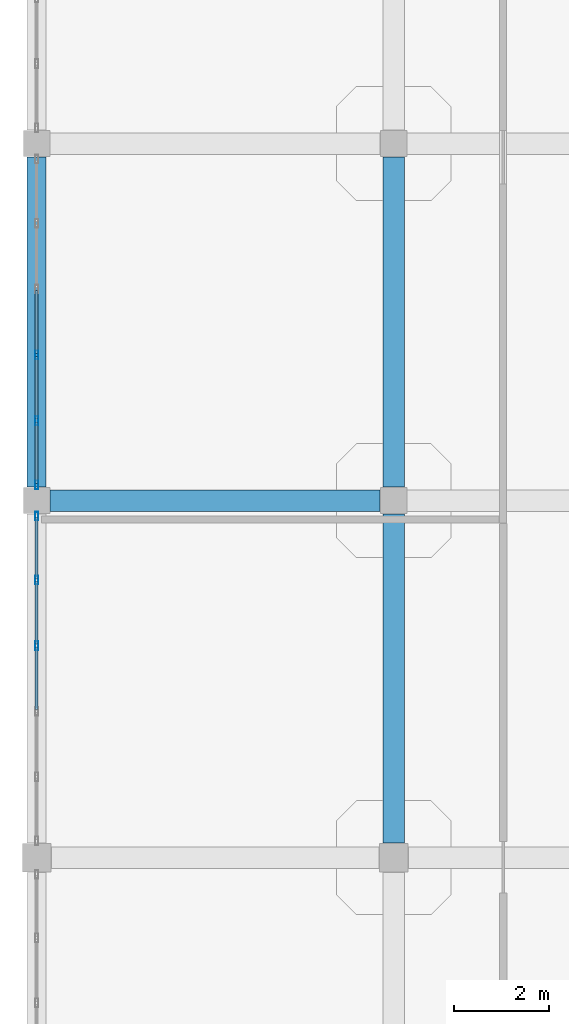
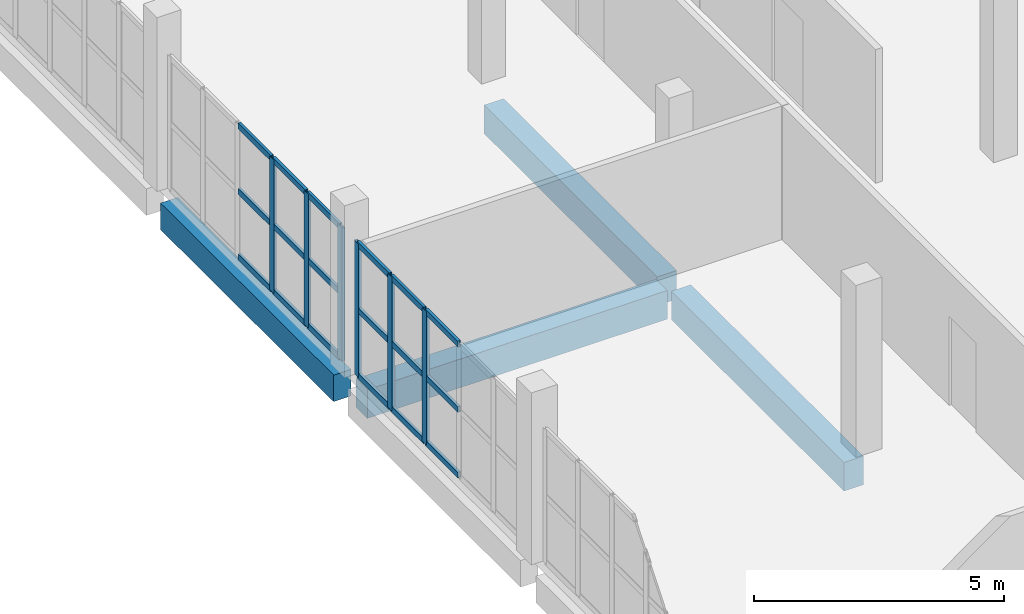
# One storey, part 39 of 164: 24 members, 4 beams, 2 elements without a shape of their own.
"""IFC4 building model written with IfcOpenShell, lengths in metres."""

from ifc_helpers import new_model, si_unit, direction, frame, origin, origin_2d, place, context, subcontext, project, spatial, rectangle, hollow_rectangle, extrude, material, layer, layer_set, material_profile, profile_set, type_object, element, aggregate, save


model = new_model("IFC4")

# Units and contexts
model_context = context("Model", 3, precision=1e-05, world=origin(), true_north=direction((0.0, 1.0)))
body_context = subcontext(model_context, "Body", "Model", "MODEL_VIEW")
ifc_project = project(units=[si_unit("LENGTHUNIT", "METRE"), si_unit("AREAUNIT", "SQUARE_METRE"), si_unit("VOLUMEUNIT", "CUBIC_METRE"), si_unit("PLANEANGLEUNIT", "RADIAN"), si_unit("MASSUNIT", "GRAM", prefix="KILO")], contexts=[model_context])

# Site, building, storey
site_placement = place(None, origin())
site = spatial("IfcSite", under=ifc_project, at=site_placement, CompositionType="ELEMENT")
building_placement = place(site_placement, origin())
building = spatial("IfcBuilding", under=site, at=building_placement, Name="Mawjan Specialist Oncology Clinic", CompositionType="ELEMENT")
storey_placement = place(building_placement, frame((0.0, 0.0, 5.0)))
storey = spatial("IfcBuildingStorey", under=building, at=storey_placement, Name="L01", CompositionType="ELEMENT", Elevation=5.0)

# Beams
ifc_material_1 = material(Name="Concrete C40/50", Category="concrete")
ifc_material_profile_1 = material_profile(ifc_material_1, rectangle(XDim=0.449951171875, YDim=0.699951171875, at=origin_2d()), Name="RC BM 450x700", Category="concrete")
ifc_profile_set_1 = profile_set([ifc_material_profile_1], Name="Concrete C40/50")
beam_type_1 = type_object("IfcBeamType", Name="BM-450x700", PredefinedType="BEAM", material=ifc_profile_set_1)
beam_1_placement = place(storey_placement, frame((0.284912109375, 60.800048828125, -0.8701171875), z_axis=(1.0, 0.0, 0.0), x_axis=(0.0, 1.0, 0.0)))
element("IfcBeam", 1, at=beam_1_placement, inside=storey, type_object=beam_type_1, Name="L01 Collector Beam BM-L01-0291", PredefinedType="BEAM", context=body_context, shape_type="SweptSolid", body=[
    extrude(rectangle(XDim=0.449951171875, YDim=0.699951171875, at=origin_2d()), origin(), (0.0, 0.0, 1.0), 6.93017578125),
])
beam_2_placement = place(storey_placement, frame((7.5, 53.610107421875, -0.8701171875), z_axis=(0.0, 1.0, 0.0), x_axis=(-1.0, 0.0, 0.0)))
element("IfcBeam", 2, at=beam_2_placement, inside=storey, type_object=beam_type_1, Name="L01 Collector Beam BM-L01-0434", PredefinedType="BEAM", context=body_context, shape_type="SweptSolid", body=[
    extrude(rectangle(XDim=0.449951171875, YDim=0.699951171875, at=origin_2d()), origin(), (0.0, 0.0, 1.0), 6.90478515625),
])
beam_3_placement = place(storey_placement, frame((7.5, 61.0849609375, -0.8701171875), z_axis=(0.0, 1.0, 0.0), x_axis=(-1.0, 0.0, 0.0)))
element("IfcBeam", 3, at=beam_3_placement, inside=storey, type_object=beam_type_1, Name="L01 Collector Beam BM-L01-0435", PredefinedType="BEAM", context=body_context, shape_type="SweptSolid", body=[
    extrude(rectangle(XDim=0.449951171875, YDim=0.699951171875, at=origin_2d()), origin(), (0.0, 0.0, 1.0), 6.929931640625),
])

# Curtain wall, members
ifc_material_2 = material(Name="Unitised spectrally selective aluminium curtain wall", Category="aluminium")
ifc_layer_1 = layer(ifc_material_2, 0.179931640625, Name="Unitised spectrally selective aluminium curtain wall", Category="aluminium")
ifc_layer_set_1 = layer_set([ifc_layer_1], Name="Unitised spectrally selective aluminium curtain wall")
curtain_wall_type_1 = type_object("IfcCurtainWallType", Name="CW-76", PredefinedType="NOTDEFINED", material=ifc_layer_set_1)
curtain_wall_1_placement = place(storey_placement, origin())
curtain_wall_1 = element("IfcCurtainWall", 4, at=curtain_wall_1_placement, inside=storey, type_object=curtain_wall_type_1, Name="L01 Unitised Curtain Wall CW-L01-149", PredefinedType="NOTDEFINED")
ifc_material_3 = material(Name="Thermally broken aluminium 6063-T6", Category="aluminium")
ifc_material_profile_2 = material_profile(ifc_material_3, hollow_rectangle(XDim=0.06494140625, YDim=0.179931640625, WallThickness=0.00390625, at=origin_2d()), Name="ALU MULLION 180x65x4", Category="aluminium")
ifc_profile_set_2 = profile_set([ifc_material_profile_2], Name="Thermally broken aluminium 6063-T6")
member_type_1 = type_object("IfcMemberType", Name="CW-M180", PredefinedType="MULLION", material=ifc_profile_set_2)
member_1_placement = place(storey_placement, frame((0.0, 57.7509765625, 0.0), z_axis=(0.0, 0.0, 1.0), x_axis=(-1.0, 0.0, 0.0)))
member_1 = element("IfcMember", 5, at=member_1_placement, type_object=member_type_1, Name="CW-76 mullion 4", PredefinedType="MULLION", context=body_context, shape_type="SweptSolid", body=[
    extrude(hollow_rectangle(XDim=0.06494140625, YDim=0.179931640625, WallThickness=0.00390625, at=origin_2d()), origin(), (0.0, 0.0, 1.0), 3.264892578125),
])
member_2_placement = place(storey_placement, frame((0.0, 59.1279296875, 0.0), z_axis=(0.0, 0.0, 1.0), x_axis=(-1.0, 0.0, 0.0)))
member_2 = element("IfcMember", 6, at=member_2_placement, type_object=member_type_1, Name="CW-76 mullion 5", PredefinedType="MULLION", context=body_context, shape_type="SweptSolid", body=[
    extrude(hollow_rectangle(XDim=0.06494140625, YDim=0.179931640625, WallThickness=0.00390625, at=origin_2d()), origin(), (0.0, 0.0, 1.0), 3.264892578125),
])
member_3_placement = place(storey_placement, frame((0.0, 60.472412109375, 0.0), z_axis=(0.0, 0.0, 1.0), x_axis=(-1.0, 0.0, 0.0)))
member_3 = element("IfcMember", 7, at=member_3_placement, type_object=member_type_1, Name="CW-76 mullion 6", PredefinedType="MULLION", context=body_context, shape_type="SweptSolid", body=[
    extrude(hollow_rectangle(XDim=0.06494140625, YDim=0.179931640625, WallThickness=0.00390625, at=origin_2d()), origin(), (0.0, 0.0, 1.0), 3.264892578125),
])

ifc_material_4 = material(Name="Unitised spectrally selective aluminium curtain wall", Category="aluminium")
ifc_layer_2 = layer(ifc_material_4, 0.179931640625, Name="Unitised spectrally selective aluminium curtain wall", Category="aluminium")
ifc_layer_set_2 = layer_set([ifc_layer_2], Name="Unitised spectrally selective aluminium curtain wall")
curtain_wall_type_2 = type_object("IfcCurtainWallType", Name="CW-77", PredefinedType="NOTDEFINED", material=ifc_layer_set_2)
curtain_wall_2_placement = place(storey_placement, origin())
curtain_wall_2 = element("IfcCurtainWall", 8, at=curtain_wall_2_placement, inside=storey, type_object=curtain_wall_type_2, Name="L01 Unitised Curtain Wall CW-L01-150", PredefinedType="NOTDEFINED")
member_4_placement = place(storey_placement, frame((0.0, 61.12744140625, 0.0), z_axis=(0.0, 0.0, 1.0), x_axis=(-1.0, 0.0, 0.0)))
member_4 = element("IfcMember", 9, at=member_4_placement, type_object=member_type_1, Name="CW-77 mullion 1", PredefinedType="MULLION", context=body_context, shape_type="SweptSolid", body=[
    extrude(hollow_rectangle(XDim=0.06494140625, YDim=0.179931640625, WallThickness=0.00390625, at=origin_2d()), origin(), (0.0, 0.0, 1.0), 3.264892578125),
])
member_5_placement = place(storey_placement, frame((0.0, 62.47705078125, 0.0), z_axis=(0.0, 0.0, 1.0), x_axis=(-1.0, 0.0, 0.0)))
member_5 = element("IfcMember", 10, at=member_5_placement, type_object=member_type_1, Name="CW-77 mullion 2", PredefinedType="MULLION", context=body_context, shape_type="SweptSolid", body=[
    extrude(hollow_rectangle(XDim=0.06494140625, YDim=0.179931640625, WallThickness=0.00390625, at=origin_2d()), origin(), (0.0, 0.0, 1.0), 3.264892578125),
])
member_6_placement = place(storey_placement, frame((0.0, 63.85888671875, 0.0), z_axis=(0.0, 0.0, 1.0), x_axis=(-1.0, 0.0, 0.0)))
member_6 = element("IfcMember", 11, at=member_6_placement, type_object=member_type_1, Name="CW-77 mullion 3", PredefinedType="MULLION", context=body_context, shape_type="SweptSolid", body=[
    extrude(hollow_rectangle(XDim=0.06494140625, YDim=0.179931640625, WallThickness=0.00390625, at=origin_2d()), origin(), (0.0, 0.0, 1.0), 3.264892578125),
])

# Member
ifc_material_5 = material(Name="Thermally broken aluminium 6063-T6", Category="aluminium")
ifc_material_profile_3 = material_profile(ifc_material_5, hollow_rectangle(XDim=0.06494140625, YDim=0.139892578125, WallThickness=0.00390625, at=origin_2d()), Name="ALU TRANSOM 140x65x4", Category="aluminium")
ifc_profile_set_3 = profile_set([ifc_material_profile_3], Name="Thermally broken aluminium 6063-T6")
member_type_2 = type_object("IfcMemberType", Name="CW-T140", PredefinedType="USERDEFINED", material=ifc_profile_set_3)
member_7_placement = place(storey_placement, frame((0.0, 56.406494140625, 0.032470703125), z_axis=(0.0, 1.0, 0.0), x_axis=(-1.0, 0.0, 0.0)))
member_7 = element("IfcMember", 12, at=member_7_placement, type_object=member_type_2, Name="CW-76 transom 3.1", ObjectType="TRANSOM", PredefinedType="USERDEFINED", context=body_context, shape_type="SweptSolid", body=[
    extrude(hollow_rectangle(XDim=0.06494140625, YDim=0.139892578125, WallThickness=0.00390625, at=origin_2d()), origin(), (0.0, 0.0, 1.0), 1.31201171875),
])

member_8_placement = place(storey_placement, frame((0.0, 56.406494140625, 1.632568359375), z_axis=(0.0, 1.0, 0.0), x_axis=(-1.0, 0.0, 0.0)))
member_8 = element("IfcMember", 13, at=member_8_placement, type_object=member_type_2, Name="CW-76 transom 3.2", ObjectType="TRANSOM", PredefinedType="USERDEFINED", context=body_context, shape_type="SweptSolid", body=[
    extrude(hollow_rectangle(XDim=0.06494140625, YDim=0.139892578125, WallThickness=0.00390625, at=origin_2d()), origin(), (0.0, 0.0, 1.0), 1.31201171875),
])

member_9_placement = place(storey_placement, frame((0.0, 56.406494140625, 3.232421875), z_axis=(0.0, 1.0, 0.0), x_axis=(-1.0, 0.0, 0.0)))
member_9 = element("IfcMember", 14, at=member_9_placement, type_object=member_type_2, Name="CW-76 transom 3.3", ObjectType="TRANSOM", PredefinedType="USERDEFINED", context=body_context, shape_type="SweptSolid", body=[
    extrude(hollow_rectangle(XDim=0.06494140625, YDim=0.139892578125, WallThickness=0.00390625, at=origin_2d()), origin(), (0.0, 0.0, 1.0), 1.31201171875),
])

member_10_placement = place(storey_placement, frame((0.0, 57.783447265625, 0.032470703125), z_axis=(0.0, 1.0, 0.0), x_axis=(-1.0, 0.0, 0.0)))
member_10 = element("IfcMember", 15, at=member_10_placement, type_object=member_type_2, Name="CW-76 transom 4.1", ObjectType="TRANSOM", PredefinedType="USERDEFINED", context=body_context, shape_type="SweptSolid", body=[
    extrude(hollow_rectangle(XDim=0.06494140625, YDim=0.139892578125, WallThickness=0.00390625, at=origin_2d()), origin(), (0.0, 0.0, 1.0), 1.31201171875),
])

member_11_placement = place(storey_placement, frame((0.0, 57.783447265625, 1.632568359375), z_axis=(0.0, 1.0, 0.0), x_axis=(-1.0, 0.0, 0.0)))
member_11 = element("IfcMember", 16, at=member_11_placement, type_object=member_type_2, Name="CW-76 transom 4.2", ObjectType="TRANSOM", PredefinedType="USERDEFINED", context=body_context, shape_type="SweptSolid", body=[
    extrude(hollow_rectangle(XDim=0.06494140625, YDim=0.139892578125, WallThickness=0.00390625, at=origin_2d()), origin(), (0.0, 0.0, 1.0), 1.31201171875),
])

member_12_placement = place(storey_placement, frame((0.0, 57.783447265625, 3.232421875), z_axis=(0.0, 1.0, 0.0), x_axis=(-1.0, 0.0, 0.0)))
member_12 = element("IfcMember", 17, at=member_12_placement, type_object=member_type_2, Name="CW-76 transom 4.3", ObjectType="TRANSOM", PredefinedType="USERDEFINED", context=body_context, shape_type="SweptSolid", body=[
    extrude(hollow_rectangle(XDim=0.06494140625, YDim=0.139892578125, WallThickness=0.00390625, at=origin_2d()), origin(), (0.0, 0.0, 1.0), 1.31201171875),
])

member_13_placement = place(storey_placement, frame((0.0, 59.160400390625, 0.032470703125), z_axis=(0.0, 1.0, 0.0), x_axis=(-1.0, 0.0, 0.0)))
member_13 = element("IfcMember", 18, at=member_13_placement, type_object=member_type_2, Name="CW-76 transom 5.1", ObjectType="TRANSOM", PredefinedType="USERDEFINED", context=body_context, shape_type="SweptSolid", body=[
    extrude(hollow_rectangle(XDim=0.06494140625, YDim=0.139892578125, WallThickness=0.00390625, at=origin_2d()), origin(), (0.0, 0.0, 1.0), 1.279541015625),
])

member_14_placement = place(storey_placement, frame((0.0, 59.160400390625, 1.632568359375), z_axis=(0.0, 1.0, 0.0), x_axis=(-1.0, 0.0, 0.0)))
member_14 = element("IfcMember", 19, at=member_14_placement, type_object=member_type_2, Name="CW-76 transom 5.2", ObjectType="TRANSOM", PredefinedType="USERDEFINED", context=body_context, shape_type="SweptSolid", body=[
    extrude(hollow_rectangle(XDim=0.06494140625, YDim=0.139892578125, WallThickness=0.00390625, at=origin_2d()), origin(), (0.0, 0.0, 1.0), 1.279541015625),
])

member_15_placement = place(storey_placement, frame((0.0, 59.160400390625, 3.232421875), z_axis=(0.0, 1.0, 0.0), x_axis=(-1.0, 0.0, 0.0)))
member_15 = element("IfcMember", 20, at=member_15_placement, type_object=member_type_2, Name="CW-76 transom 5.3", ObjectType="TRANSOM", PredefinedType="USERDEFINED", context=body_context, shape_type="SweptSolid", body=[
    extrude(hollow_rectangle(XDim=0.06494140625, YDim=0.139892578125, WallThickness=0.00390625, at=origin_2d()), origin(), (0.0, 0.0, 1.0), 1.279541015625),
])

aggregate(curtain_wall_1, [member_1, member_2, member_3, member_7, member_8, member_9, member_10, member_11, member_12, member_13, member_14, member_15])

member_16_placement = place(storey_placement, frame((0.0, 61.159912109375, 0.032470703125), z_axis=(0.0, 1.0, 0.0), x_axis=(-1.0, 0.0, 0.0)))
member_16 = element("IfcMember", 21, at=member_16_placement, type_object=member_type_2, Name="CW-77 transom 1.1", ObjectType="TRANSOM", PredefinedType="USERDEFINED", context=body_context, shape_type="SweptSolid", body=[
    extrude(hollow_rectangle(XDim=0.06494140625, YDim=0.139892578125, WallThickness=0.00390625, at=origin_2d()), origin(), (0.0, 0.0, 1.0), 1.28466796875),
])

member_17_placement = place(storey_placement, frame((0.0, 61.159912109375, 1.632568359375), z_axis=(0.0, 1.0, 0.0), x_axis=(-1.0, 0.0, 0.0)))
member_17 = element("IfcMember", 22, at=member_17_placement, type_object=member_type_2, Name="CW-77 transom 1.2", ObjectType="TRANSOM", PredefinedType="USERDEFINED", context=body_context, shape_type="SweptSolid", body=[
    extrude(hollow_rectangle(XDim=0.06494140625, YDim=0.139892578125, WallThickness=0.00390625, at=origin_2d()), origin(), (0.0, 0.0, 1.0), 1.28466796875),
])

member_18_placement = place(storey_placement, frame((0.0, 61.159912109375, 3.232421875), z_axis=(0.0, 1.0, 0.0), x_axis=(-1.0, 0.0, 0.0)))
member_18 = element("IfcMember", 23, at=member_18_placement, type_object=member_type_2, Name="CW-77 transom 1.3", ObjectType="TRANSOM", PredefinedType="USERDEFINED", context=body_context, shape_type="SweptSolid", body=[
    extrude(hollow_rectangle(XDim=0.06494140625, YDim=0.139892578125, WallThickness=0.00390625, at=origin_2d()), origin(), (0.0, 0.0, 1.0), 1.28466796875),
])

member_19_placement = place(storey_placement, frame((0.0, 62.509521484375, 0.032470703125), z_axis=(0.0, 1.0, 0.0), x_axis=(-1.0, 0.0, 0.0)))
member_19 = element("IfcMember", 24, at=member_19_placement, type_object=member_type_2, Name="CW-77 transom 2.1", ObjectType="TRANSOM", PredefinedType="USERDEFINED", context=body_context, shape_type="SweptSolid", body=[
    extrude(hollow_rectangle(XDim=0.06494140625, YDim=0.139892578125, WallThickness=0.00390625, at=origin_2d()), origin(), (0.0, 0.0, 1.0), 1.31689453125),
])

member_20_placement = place(storey_placement, frame((0.0, 62.509521484375, 1.632568359375), z_axis=(0.0, 1.0, 0.0), x_axis=(-1.0, 0.0, 0.0)))
member_20 = element("IfcMember", 25, at=member_20_placement, type_object=member_type_2, Name="CW-77 transom 2.2", ObjectType="TRANSOM", PredefinedType="USERDEFINED", context=body_context, shape_type="SweptSolid", body=[
    extrude(hollow_rectangle(XDim=0.06494140625, YDim=0.139892578125, WallThickness=0.00390625, at=origin_2d()), origin(), (0.0, 0.0, 1.0), 1.31689453125),
])

member_21_placement = place(storey_placement, frame((0.0, 62.509521484375, 3.232421875), z_axis=(0.0, 1.0, 0.0), x_axis=(-1.0, 0.0, 0.0)))
member_21 = element("IfcMember", 26, at=member_21_placement, type_object=member_type_2, Name="CW-77 transom 2.3", ObjectType="TRANSOM", PredefinedType="USERDEFINED", context=body_context, shape_type="SweptSolid", body=[
    extrude(hollow_rectangle(XDim=0.06494140625, YDim=0.139892578125, WallThickness=0.00390625, at=origin_2d()), origin(), (0.0, 0.0, 1.0), 1.31689453125),
])

member_22_placement = place(storey_placement, frame((0.0, 63.8916015625, 0.032470703125), z_axis=(0.0, 1.0, 0.0), x_axis=(-1.0, 0.0, 0.0)))
member_22 = element("IfcMember", 27, at=member_22_placement, type_object=member_type_2, Name="CW-77 transom 3.1", ObjectType="TRANSOM", PredefinedType="USERDEFINED", context=body_context, shape_type="SweptSolid", body=[
    extrude(hollow_rectangle(XDim=0.06494140625, YDim=0.139892578125, WallThickness=0.00390625, at=origin_2d()), origin(), (0.0, 0.0, 1.0), 1.31689453125),
])

member_23_placement = place(storey_placement, frame((0.0, 63.8916015625, 1.632568359375), z_axis=(0.0, 1.0, 0.0), x_axis=(-1.0, 0.0, 0.0)))
member_23 = element("IfcMember", 28, at=member_23_placement, type_object=member_type_2, Name="CW-77 transom 3.2", ObjectType="TRANSOM", PredefinedType="USERDEFINED", context=body_context, shape_type="SweptSolid", body=[
    extrude(hollow_rectangle(XDim=0.06494140625, YDim=0.139892578125, WallThickness=0.00390625, at=origin_2d()), origin(), (0.0, 0.0, 1.0), 1.31689453125),
])

member_24_placement = place(storey_placement, frame((0.0, 63.8916015625, 3.232421875), z_axis=(0.0, 1.0, 0.0), x_axis=(-1.0, 0.0, 0.0)))
member_24 = element("IfcMember", 29, at=member_24_placement, type_object=member_type_2, Name="CW-77 transom 3.3", ObjectType="TRANSOM", PredefinedType="USERDEFINED", context=body_context, shape_type="SweptSolid", body=[
    extrude(hollow_rectangle(XDim=0.06494140625, YDim=0.139892578125, WallThickness=0.00390625, at=origin_2d()), origin(), (0.0, 0.0, 1.0), 1.31689453125),
])

aggregate(curtain_wall_2, [member_4, member_5, member_6, member_16, member_17, member_18, member_19, member_20, member_21, member_22, member_23, member_24])

# Beam
ifc_material_6 = material(Name="Concrete C45/55", Category="concrete")
ifc_material_profile_4 = material_profile(ifc_material_6, rectangle(XDim=0.39990234375, YDim=0.64990234375, at=origin_2d()), Name="RC BM 400x650", Category="concrete")
ifc_profile_set_4 = profile_set([ifc_material_profile_4], Name="Concrete C45/55")
beam_type_2 = type_object("IfcBeamType", Name="SP-400x650", PredefinedType="SPANDREL", material=ifc_profile_set_4)
beam_4_placement = place(storey_placement, frame((0.0, 61.0849609375, -0.625), z_axis=(0.0, 1.0, 0.0), x_axis=(-1.0, 0.0, 0.0)))
element("IfcBeam", 30, at=beam_4_placement, inside=storey, type_object=beam_type_2, Name="L01 Spandrel Beam BM-L01-0426", PredefinedType="SPANDREL", context=body_context, shape_type="SweptSolid", body=[
    extrude(rectangle(XDim=0.39990234375, YDim=0.64990234375, at=origin_2d()), origin(), (0.0, 0.0, 1.0), 6.929931640625),
])

save(model, "model.ifc")
